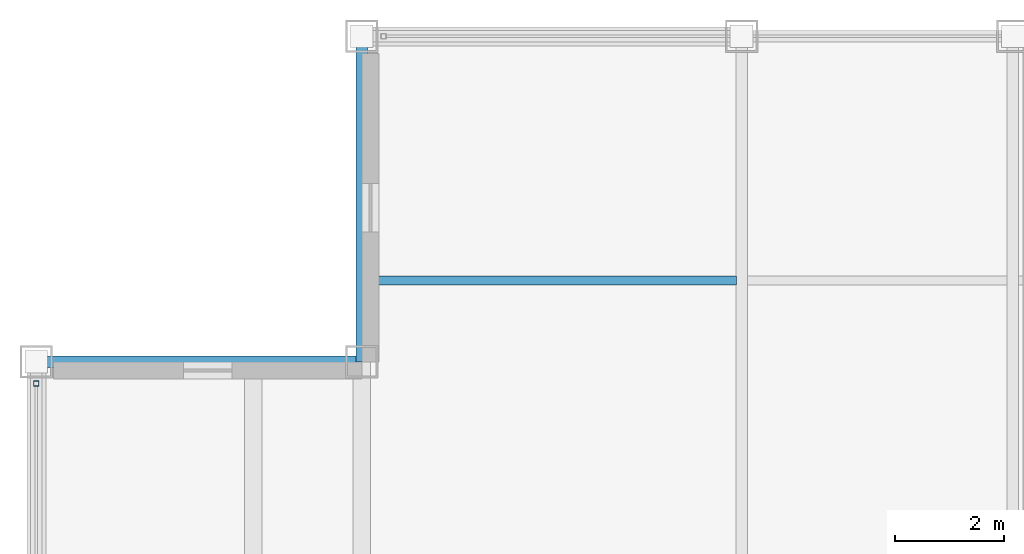
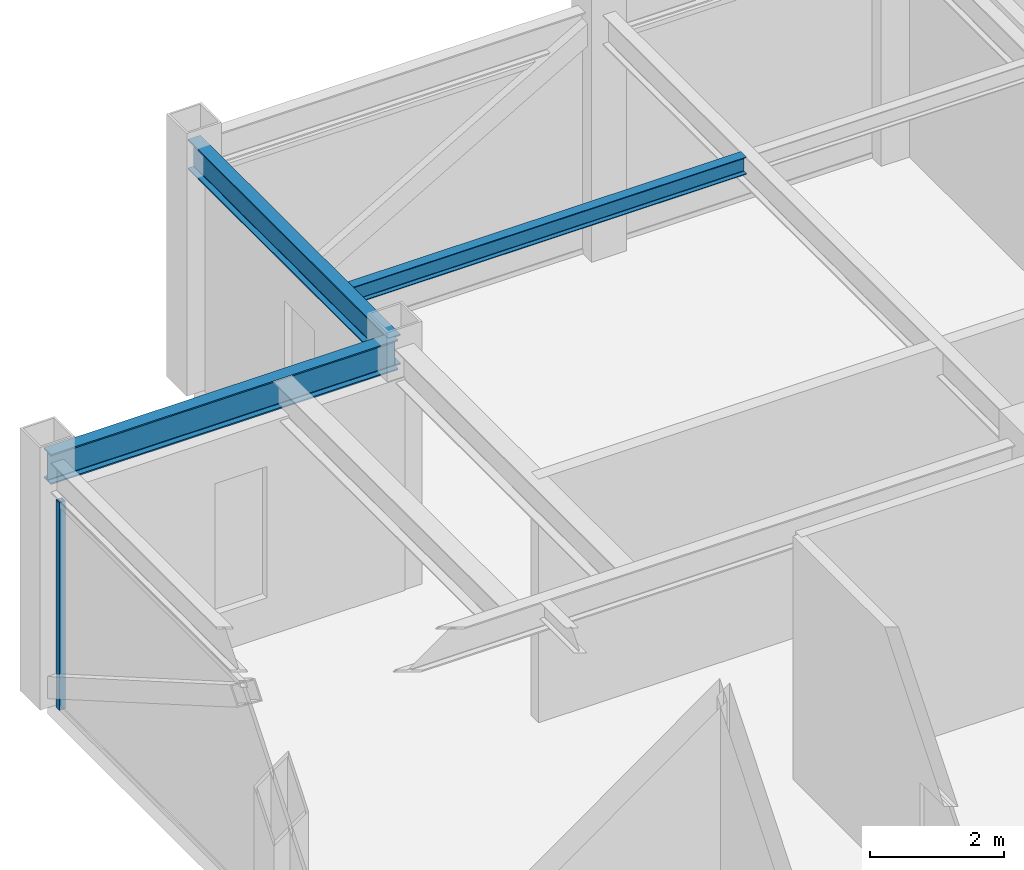
# One storey, part 14 of 27: 3 beams, 1 member, 1 element without a shape of its own.
"""IFC4 building model written with IfcOpenShell, lengths in metres."""

from ifc_helpers import new_model, si_unit, direction, frame, origin, origin_2d, place, context, subcontext, project, spatial, hollow_rectangle, i_section, extrude, source, transform, mapped, material, material_profile, profile_set, type_object, element, aggregate, save


model = new_model("IFC4")

# Units and contexts
model_context = context("Model", 3, precision=1e-05, world=origin(), true_north=direction((0.0, 1.0)))
body_context = subcontext(model_context, "Body", "Model", "MODEL_VIEW")
ifc_project = project(units=[si_unit("LENGTHUNIT", "METRE"), si_unit("AREAUNIT", "SQUARE_METRE"), si_unit("VOLUMEUNIT", "CUBIC_METRE"), si_unit("PLANEANGLEUNIT", "RADIAN"), si_unit("MASSUNIT", "GRAM", prefix="KILO")], contexts=[model_context])

# Site, building, storey
site_placement = place(None, origin())
site = spatial("IfcSite", under=ifc_project, at=site_placement, CompositionType="ELEMENT")
building_placement = place(site_placement, origin())
building = spatial("IfcBuilding", under=site, at=building_placement, Name="Khorayat Bourse Tower", CompositionType="ELEMENT")
storey_placement = place(building_placement, frame((0.0, 0.0, 380.300048828125)))
storey = spatial("IfcBuildingStorey", under=building, at=storey_placement, Name="L90", CompositionType="ELEMENT", Elevation=380.300048828125)

# Beams
ifc_material_1 = material(Name="Steel ASTM A992 Grade 50", Category="steel")
ifc_material_profile_1 = material_profile(ifc_material_1, i_section(OverallWidth=0.214111328125, OverallDepth=0.549072265625, WebThickness=0.0146484375, FlangeThickness=0.023681640625, FilletRadius=0.013916015625, at=origin_2d()), Name="W530X138")
ifc_profile_set_1 = profile_set([ifc_material_profile_1], Name="Steel ASTM A992 Grade 50")
beam_type_1 = type_object("IfcBeamType", Name="BM-SPAN-530", PredefinedType="SPANDREL", material=ifc_profile_set_1)
shared_shape_1 = source(origin(), body_context, "Body", "SweptSolid", [
    extrude(i_section(OverallWidth=0.214111328125, OverallDepth=0.549072265625, WebThickness=0.0146484375, FlangeThickness=0.023681640625, FilletRadius=0.013916015625, at=origin_2d()), origin(), (0.0, 0.0, 1.0), 6.0),
])
for number, where, z_axis, x_axis, name in (
    (1, (-18.0, 18.0, 4.175537109375), (0.0, 1.0, 0.0), (-1.0, 0.0, 0.0), "L90 BM-SPAN-530 BM-L90-SPN-046"),
    (2, (-24.0, 18.0, 4.175537109375), (1.0, 0.0, 0.0), (0.0, 1.0, 0.0), "L90 BM-SPAN-530 BM-L90-SPN-047"),
):
    element("IfcBeam", number, at=place(storey_placement, frame(where, z_axis=z_axis, x_axis=x_axis)), inside=storey, type_object=beam_type_1, Name=name, PredefinedType="SPANDREL", context=body_context, shape_type="MappedRepresentation", body=[
        mapped(shared_shape_1, transform((0.0, 0.0, 0.0), scale=1.0)),
    ])
ifc_material_profile_2 = material_profile(ifc_material_1, i_section(OverallWidth=0.1669921875, OverallDepth=0.31689453125, WebThickness=0.007568359375, FlangeThickness=0.01318359375, FilletRadius=0.010009765625, at=origin_2d()), Name="W310X52")
ifc_profile_set_2 = profile_set([ifc_material_profile_2], Name="Steel ASTM A992 Grade 50")
beam_type_2 = type_object("IfcBeamType", Name="BM-JOIST-310", PredefinedType="JOIST", material=ifc_profile_set_2)
shared_shape_2 = source(origin(), body_context, "Body", "SweptSolid", [
    extrude(i_section(OverallWidth=0.1669921875, OverallDepth=0.31689453125, WebThickness=0.007568359375, FlangeThickness=0.01318359375, FilletRadius=0.010009765625, at=origin_2d()), origin(), (0.0, 0.0, 1.0), 6.81005859375),
])
beam_placement = place(storey_placement, frame((-17.905029296875, 19.5, 4.29150390625), z_axis=(1.0, 0.0, 0.0), x_axis=(0.0, 1.0, 0.0)))
element("IfcBeam", 3, at=beam_placement, inside=storey, type_object=beam_type_2, Name="L90 BM-JOIST-310 BM-L90-JSTX-087", PredefinedType="JOIST", context=body_context, shape_type="MappedRepresentation", body=[
    mapped(shared_shape_2, transform((0.0, 0.0, 0.0), scale=1.0)),
])

# Curtain wall, member
ifc_material_2 = material(Name="Aluminium EN AW-6063 T6", Category="aluminium")
curtain_wall_type = type_object("IfcCurtainWallType", Name="CW-SYS-07", PredefinedType="NOTDEFINED", material=ifc_material_2)
curtain_wall_placement = place(storey_placement, origin())
curtain_wall = element("IfcCurtainWall", 4, at=curtain_wall_placement, inside=storey, type_object=curtain_wall_type, Name="L90 Curtain Wall CW-L90-W1", PredefinedType="NOTDEFINED")
ifc_material_profile_3 = material_profile(ifc_material_2, hollow_rectangle(XDim=0.10009765625, YDim=0.10009765625, WallThickness=0.0048828125, at=origin_2d()), Name="ALU 100x100x5")
ifc_profile_set_3 = profile_set([ifc_material_profile_3], Name="Aluminium EN AW-6063 T6")
member_type = type_object("IfcMemberType", Name="CWM-LANTERN-100", PredefinedType="MULLION", material=ifc_profile_set_3)
shared_shape_3 = source(origin(), body_context, "Body", "SweptSolid", [
    extrude(hollow_rectangle(XDim=0.10009765625, YDim=0.10009765625, WallThickness=0.0048828125, at=origin_2d()), origin(), (0.0, 0.0, 1.0), 3.800048828125),
])
member_placement = place(storey_placement, frame((-24.0, 17.60009765625, 0.0), z_axis=(0.0, 0.0, 1.0), x_axis=(-1.0, 0.0, 0.0)))
member = element("IfcMember", 5, at=member_placement, type_object=member_type, Name="CW-L90-W1 Vertical Mullion 3", PredefinedType="MULLION", context=body_context, shape_type="MappedRepresentation", body=[
    mapped(shared_shape_3, transform((0.0, 0.0, 0.0), scale=1.0)),
])
aggregate(curtain_wall, [member])

save(model, "model.ifc")
